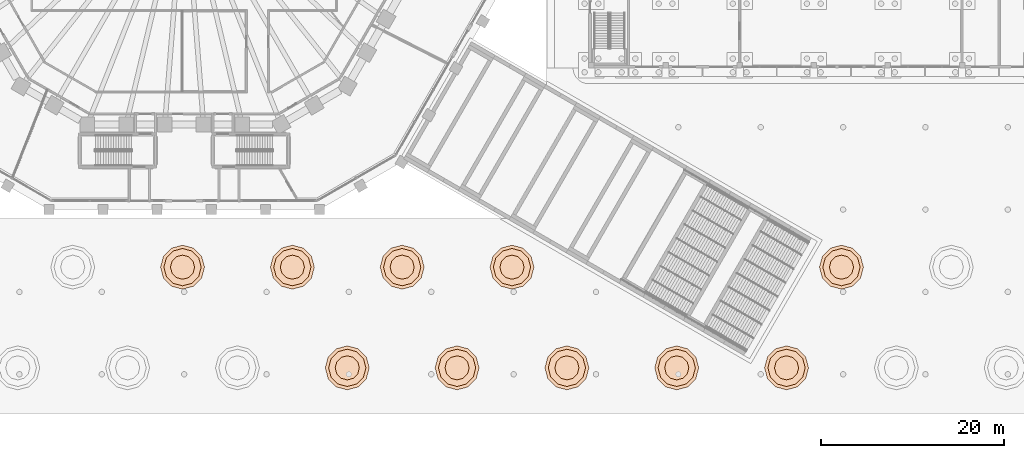
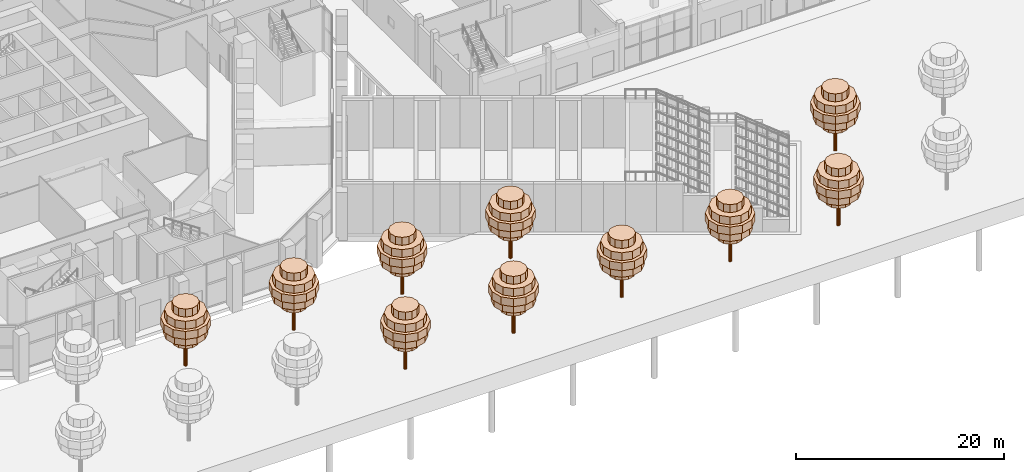
# One storey, part 43 of 44: 10 geographic elements.
"""IFC4 building model written with IfcOpenShell, lengths in metres."""

from ifc_helpers import new_model, si_unit, direction, frame, origin, place, context, subcontext, project, spatial, polyline, outline, extrude, element, save


model = new_model("IFC4")

# Units and contexts
model_context = context("Model", 3, precision=1e-05, world=origin(), true_north=direction((0.0, 1.0)))
body_context = subcontext(model_context, "Body", "Model", "MODEL_VIEW")
ifc_project = project(units=[si_unit("LENGTHUNIT", "METRE"), si_unit("AREAUNIT", "SQUARE_METRE"), si_unit("VOLUMEUNIT", "CUBIC_METRE"), si_unit("PLANEANGLEUNIT", "RADIAN"), si_unit("MASSUNIT", "GRAM", prefix="KILO")], contexts=[model_context])

# Site, building, storey
site_placement = place(None, origin())
site = spatial("IfcSite", under=ifc_project, at=site_placement, CompositionType="ELEMENT")
building_placement = place(site_placement, origin())
building = spatial("IfcBuilding", under=site, at=building_placement, Name="Frailejon Research Tower", CompositionType="ELEMENT")
storey_placement = place(building_placement, origin())
storey = spatial("IfcBuildingStorey", under=building, at=storey_placement, Name="L00", CompositionType="ELEMENT", Elevation=0.0)

# Geographic elements
geographic_element_1_placement = place(storey_placement, frame((17.821044921875, -53.2958984375, 0.0)))
element("IfcGeographicElement", 1, at=geographic_element_1_placement, inside=storey, Name="Plaza tree", ObjectType="TREE", PredefinedType="USERDEFINED", context=body_context, shape_type="SweptSolid", body=[
    extrude(outline(polyline([(0.179931640625, 0.0), (0.156005859375, 0.090087890625), (0.090087890625, 0.156005859375), (0.0, 0.179931640625), (-0.090087890625, 0.156005859375), (-0.156005859375, 0.090087890625), (-0.179931640625, 0.0), (-0.156005859375, -0.090087890625), (-0.090087890625, -0.156005859375), (0.0, -0.179931640625), (0.090087890625, -0.156005859375), (0.156005859375, -0.090087890625), (0.179931640625, 0.0)])), origin(), (0.0, 0.0, 1.0), 5.639892578125),
    extrude(outline(polyline([(1.320068359375, 0.0), (1.14306640625, 0.659912109375), (0.659912109375, 1.14306640625), (0.0, 1.320068359375), (-0.659912109375, 1.14306640625), (-1.14306640625, 0.659912109375), (-1.320068359375, 0.0), (-1.14306640625, -0.659912109375), (-0.659912109375, -1.14306640625), (0.0, -1.320068359375), (0.659912109375, -1.14306640625), (1.14306640625, -0.659912109375), (1.320068359375, 0.0)])), frame((0.0, 0.0, 2.85009765625)), (0.0, 0.0, 1.0), 0.929931640625),
    extrude(outline(polyline([(2.159912109375, 0.0), (1.87060546875, 1.080078125), (1.080078125, 1.87060546875), (0.0, 2.159912109375), (-1.080078125, 1.87060546875), (-1.87060546875, 1.080078125), (-2.159912109375, 0.0), (-1.87060546875, -1.080078125), (-1.080078125, -1.87060546875), (0.0, -2.159912109375), (1.080078125, -1.87060546875), (1.87060546875, -1.080078125), (2.159912109375, 0.0)])), frame((0.0, 0.0, 3.780029296875)), (0.0, 0.0, 1.0), 0.929931640625),
    extrude(outline(polyline([(2.39990234375, 0.0), (2.078369140625, 1.199951171875), (1.199951171875, 2.078369140625), (0.0, 2.39990234375), (-1.199951171875, 2.078369140625), (-2.078369140625, 1.199951171875), (-2.39990234375, 0.0), (-2.078369140625, -1.199951171875), (-1.199951171875, -2.078369140625), (0.0, -2.39990234375), (1.199951171875, -2.078369140625), (2.078369140625, -1.199951171875), (2.39990234375, 0.0)])), frame((0.0, 0.0, 4.7099609375)), (0.0, 0.0, 1.0), 0.929931640625),
    extrude(outline(polyline([(2.0400390625, 0.0), (1.7666015625, 1.02001953125), (1.02001953125, 1.7666015625), (0.0, 2.0400390625), (-1.02001953125, 1.7666015625), (-1.7666015625, 1.02001953125), (-2.0400390625, 0.0), (-1.7666015625, -1.02001953125), (-1.02001953125, -1.7666015625), (0.0, -2.0400390625), (1.02001953125, -1.7666015625), (1.7666015625, -1.02001953125), (2.0400390625, 0.0)])), frame((0.0, 0.0, 5.639892578125)), (0.0, 0.0, 1.0), 0.929931640625),
    extrude(outline(polyline([(1.320068359375, 0.0), (1.14306640625, 0.659912109375), (0.659912109375, 1.14306640625), (0.0, 1.320068359375), (-0.659912109375, 1.14306640625), (-1.14306640625, 0.659912109375), (-1.320068359375, 0.0), (-1.14306640625, -0.659912109375), (-0.659912109375, -1.14306640625), (0.0, -1.320068359375), (0.659912109375, -1.14306640625), (1.14306640625, -0.659912109375), (1.320068359375, 0.0)])), frame((0.0, 0.0, 6.570068359375)), (0.0, 0.0, 1.0), 0.929931640625),
])
geographic_element_2_placement = place(storey_placement, frame((29.821044921875, -53.2958984375, 0.0)))
element("IfcGeographicElement", 2, at=geographic_element_2_placement, inside=storey, Name="Plaza tree", ObjectType="TREE", PredefinedType="USERDEFINED", context=body_context, shape_type="SweptSolid", body=[
    extrude(outline(polyline([(0.179931640625, 0.0), (0.156005859375, 0.090087890625), (0.090087890625, 0.156005859375), (0.0, 0.179931640625), (-0.090087890625, 0.156005859375), (-0.156005859375, 0.090087890625), (-0.179931640625, 0.0), (-0.156005859375, -0.090087890625), (-0.090087890625, -0.156005859375), (0.0, -0.179931640625), (0.090087890625, -0.156005859375), (0.156005859375, -0.090087890625), (0.179931640625, 0.0)])), origin(), (0.0, 0.0, 1.0), 5.639892578125),
    extrude(outline(polyline([(1.320068359375, 0.0), (1.14306640625, 0.659912109375), (0.659912109375, 1.14306640625), (0.0, 1.320068359375), (-0.659912109375, 1.14306640625), (-1.14306640625, 0.659912109375), (-1.320068359375, 0.0), (-1.14306640625, -0.659912109375), (-0.659912109375, -1.14306640625), (0.0, -1.320068359375), (0.659912109375, -1.14306640625), (1.14306640625, -0.659912109375), (1.320068359375, 0.0)])), frame((0.0, 0.0, 2.85009765625)), (0.0, 0.0, 1.0), 0.929931640625),
    extrude(outline(polyline([(2.159912109375, 0.0), (1.87060546875, 1.080078125), (1.080078125, 1.87060546875), (0.0, 2.159912109375), (-1.080078125, 1.87060546875), (-1.87060546875, 1.080078125), (-2.159912109375, 0.0), (-1.87060546875, -1.080078125), (-1.080078125, -1.87060546875), (0.0, -2.159912109375), (1.080078125, -1.87060546875), (1.87060546875, -1.080078125), (2.159912109375, 0.0)])), frame((0.0, 0.0, 3.780029296875)), (0.0, 0.0, 1.0), 0.929931640625),
    extrude(outline(polyline([(2.39990234375, 0.0), (2.078369140625, 1.199951171875), (1.199951171875, 2.078369140625), (0.0, 2.39990234375), (-1.199951171875, 2.078369140625), (-2.078369140625, 1.199951171875), (-2.39990234375, 0.0), (-2.078369140625, -1.199951171875), (-1.199951171875, -2.078369140625), (0.0, -2.39990234375), (1.199951171875, -2.078369140625), (2.078369140625, -1.199951171875), (2.39990234375, 0.0)])), frame((0.0, 0.0, 4.7099609375)), (0.0, 0.0, 1.0), 0.929931640625),
    extrude(outline(polyline([(2.0400390625, 0.0), (1.7666015625, 1.02001953125), (1.02001953125, 1.7666015625), (0.0, 2.0400390625), (-1.02001953125, 1.7666015625), (-1.7666015625, 1.02001953125), (-2.0400390625, 0.0), (-1.7666015625, -1.02001953125), (-1.02001953125, -1.7666015625), (0.0, -2.0400390625), (1.02001953125, -1.7666015625), (1.7666015625, -1.02001953125), (2.0400390625, 0.0)])), frame((0.0, 0.0, 5.639892578125)), (0.0, 0.0, 1.0), 0.929931640625),
    extrude(outline(polyline([(1.320068359375, 0.0), (1.14306640625, 0.659912109375), (0.659912109375, 1.14306640625), (0.0, 1.320068359375), (-0.659912109375, 1.14306640625), (-1.14306640625, 0.659912109375), (-1.320068359375, 0.0), (-1.14306640625, -0.659912109375), (-0.659912109375, -1.14306640625), (0.0, -1.320068359375), (0.659912109375, -1.14306640625), (1.14306640625, -0.659912109375), (1.320068359375, 0.0)])), frame((0.0, 0.0, 6.570068359375)), (0.0, 0.0, 1.0), 0.929931640625),
])
geographic_element_3_placement = place(storey_placement, frame((41.821044921875, -53.2958984375, 0.0)))
element("IfcGeographicElement", 3, at=geographic_element_3_placement, inside=storey, Name="Plaza tree", ObjectType="TREE", PredefinedType="USERDEFINED", context=body_context, shape_type="SweptSolid", body=[
    extrude(outline(polyline([(0.179931640625, 0.0), (0.156005859375, 0.090087890625), (0.090087890625, 0.156005859375), (0.0, 0.179931640625), (-0.090087890625, 0.156005859375), (-0.156005859375, 0.090087890625), (-0.179931640625, 0.0), (-0.156005859375, -0.090087890625), (-0.090087890625, -0.156005859375), (0.0, -0.179931640625), (0.090087890625, -0.156005859375), (0.156005859375, -0.090087890625), (0.179931640625, 0.0)])), origin(), (0.0, 0.0, 1.0), 5.639892578125),
    extrude(outline(polyline([(1.320068359375, 0.0), (1.14306640625, 0.659912109375), (0.659912109375, 1.14306640625), (0.0, 1.320068359375), (-0.659912109375, 1.14306640625), (-1.14306640625, 0.659912109375), (-1.320068359375, 0.0), (-1.14306640625, -0.659912109375), (-0.659912109375, -1.14306640625), (0.0, -1.320068359375), (0.659912109375, -1.14306640625), (1.14306640625, -0.659912109375), (1.320068359375, 0.0)])), frame((0.0, 0.0, 2.85009765625)), (0.0, 0.0, 1.0), 0.929931640625),
    extrude(outline(polyline([(2.159912109375, 0.0), (1.87060546875, 1.080078125), (1.080078125, 1.87060546875), (0.0, 2.159912109375), (-1.080078125, 1.87060546875), (-1.87060546875, 1.080078125), (-2.159912109375, 0.0), (-1.87060546875, -1.080078125), (-1.080078125, -1.87060546875), (0.0, -2.159912109375), (1.080078125, -1.87060546875), (1.87060546875, -1.080078125), (2.159912109375, 0.0)])), frame((0.0, 0.0, 3.780029296875)), (0.0, 0.0, 1.0), 0.929931640625),
    extrude(outline(polyline([(2.39990234375, 0.0), (2.078369140625, 1.199951171875), (1.199951171875, 2.078369140625), (0.0, 2.39990234375), (-1.199951171875, 2.078369140625), (-2.078369140625, 1.199951171875), (-2.39990234375, 0.0), (-2.078369140625, -1.199951171875), (-1.199951171875, -2.078369140625), (0.0, -2.39990234375), (1.199951171875, -2.078369140625), (2.078369140625, -1.199951171875), (2.39990234375, 0.0)])), frame((0.0, 0.0, 4.7099609375)), (0.0, 0.0, 1.0), 0.929931640625),
    extrude(outline(polyline([(2.0400390625, 0.0), (1.7666015625, 1.02001953125), (1.02001953125, 1.7666015625), (0.0, 2.0400390625), (-1.02001953125, 1.7666015625), (-1.7666015625, 1.02001953125), (-2.0400390625, 0.0), (-1.7666015625, -1.02001953125), (-1.02001953125, -1.7666015625), (0.0, -2.0400390625), (1.02001953125, -1.7666015625), (1.7666015625, -1.02001953125), (2.0400390625, 0.0)])), frame((0.0, 0.0, 5.639892578125)), (0.0, 0.0, 1.0), 0.929931640625),
    extrude(outline(polyline([(1.320068359375, 0.0), (1.14306640625, 0.659912109375), (0.659912109375, 1.14306640625), (0.0, 1.320068359375), (-0.659912109375, 1.14306640625), (-1.14306640625, 0.659912109375), (-1.320068359375, 0.0), (-1.14306640625, -0.659912109375), (-0.659912109375, -1.14306640625), (0.0, -1.320068359375), (0.659912109375, -1.14306640625), (1.14306640625, -0.659912109375), (1.320068359375, 0.0)])), frame((0.0, 0.0, 6.570068359375)), (0.0, 0.0, 1.0), 0.929931640625),
])
geographic_element_4_placement = place(storey_placement, frame((53.821044921875, -53.2958984375, 0.0)))
element("IfcGeographicElement", 4, at=geographic_element_4_placement, inside=storey, Name="Plaza tree", ObjectType="TREE", PredefinedType="USERDEFINED", context=body_context, shape_type="SweptSolid", body=[
    extrude(outline(polyline([(0.179931640625, 0.0), (0.156005859375, 0.090087890625), (0.090087890625, 0.156005859375), (0.0, 0.179931640625), (-0.090087890625, 0.156005859375), (-0.156005859375, 0.090087890625), (-0.179931640625, 0.0), (-0.156005859375, -0.090087890625), (-0.090087890625, -0.156005859375), (0.0, -0.179931640625), (0.090087890625, -0.156005859375), (0.156005859375, -0.090087890625), (0.179931640625, 0.0)])), origin(), (0.0, 0.0, 1.0), 5.639892578125),
    extrude(outline(polyline([(1.320068359375, 0.0), (1.14306640625, 0.659912109375), (0.659912109375, 1.14306640625), (0.0, 1.320068359375), (-0.659912109375, 1.14306640625), (-1.14306640625, 0.659912109375), (-1.320068359375, 0.0), (-1.14306640625, -0.659912109375), (-0.659912109375, -1.14306640625), (0.0, -1.320068359375), (0.659912109375, -1.14306640625), (1.14306640625, -0.659912109375), (1.320068359375, 0.0)])), frame((0.0, 0.0, 2.85009765625)), (0.0, 0.0, 1.0), 0.929931640625),
    extrude(outline(polyline([(2.159912109375, 0.0), (1.87060546875, 1.080078125), (1.080078125, 1.87060546875), (0.0, 2.159912109375), (-1.080078125, 1.87060546875), (-1.87060546875, 1.080078125), (-2.159912109375, 0.0), (-1.87060546875, -1.080078125), (-1.080078125, -1.87060546875), (0.0, -2.159912109375), (1.080078125, -1.87060546875), (1.87060546875, -1.080078125), (2.159912109375, 0.0)])), frame((0.0, 0.0, 3.780029296875)), (0.0, 0.0, 1.0), 0.929931640625),
    extrude(outline(polyline([(2.39990234375, 0.0), (2.078369140625, 1.199951171875), (1.199951171875, 2.078369140625), (0.0, 2.39990234375), (-1.199951171875, 2.078369140625), (-2.078369140625, 1.199951171875), (-2.39990234375, 0.0), (-2.078369140625, -1.199951171875), (-1.199951171875, -2.078369140625), (0.0, -2.39990234375), (1.199951171875, -2.078369140625), (2.078369140625, -1.199951171875), (2.39990234375, 0.0)])), frame((0.0, 0.0, 4.7099609375)), (0.0, 0.0, 1.0), 0.929931640625),
    extrude(outline(polyline([(2.0400390625, 0.0), (1.7666015625, 1.02001953125), (1.02001953125, 1.7666015625), (0.0, 2.0400390625), (-1.02001953125, 1.7666015625), (-1.7666015625, 1.02001953125), (-2.0400390625, 0.0), (-1.7666015625, -1.02001953125), (-1.02001953125, -1.7666015625), (0.0, -2.0400390625), (1.02001953125, -1.7666015625), (1.7666015625, -1.02001953125), (2.0400390625, 0.0)])), frame((0.0, 0.0, 5.639892578125)), (0.0, 0.0, 1.0), 0.929931640625),
    extrude(outline(polyline([(1.320068359375, 0.0), (1.14306640625, 0.659912109375), (0.659912109375, 1.14306640625), (0.0, 1.320068359375), (-0.659912109375, 1.14306640625), (-1.14306640625, 0.659912109375), (-1.320068359375, 0.0), (-1.14306640625, -0.659912109375), (-0.659912109375, -1.14306640625), (0.0, -1.320068359375), (0.659912109375, -1.14306640625), (1.14306640625, -0.659912109375), (1.320068359375, 0.0)])), frame((0.0, 0.0, 6.570068359375)), (0.0, 0.0, 1.0), 0.929931640625),
])
geographic_element_5_placement = place(storey_placement, frame((65.821044921875, -53.2958984375, 0.0)))
element("IfcGeographicElement", 5, at=geographic_element_5_placement, inside=storey, Name="Plaza tree", ObjectType="TREE", PredefinedType="USERDEFINED", context=body_context, shape_type="SweptSolid", body=[
    extrude(outline(polyline([(0.179931640625, 0.0), (0.156005859375, 0.090087890625), (0.090087890625, 0.156005859375), (0.0, 0.179931640625), (-0.090087890625, 0.156005859375), (-0.156005859375, 0.090087890625), (-0.179931640625, 0.0), (-0.156005859375, -0.090087890625), (-0.090087890625, -0.156005859375), (0.0, -0.179931640625), (0.090087890625, -0.156005859375), (0.156005859375, -0.090087890625), (0.179931640625, 0.0)])), origin(), (0.0, 0.0, 1.0), 5.639892578125),
    extrude(outline(polyline([(1.320068359375, 0.0), (1.14306640625, 0.659912109375), (0.659912109375, 1.14306640625), (0.0, 1.320068359375), (-0.659912109375, 1.14306640625), (-1.14306640625, 0.659912109375), (-1.320068359375, 0.0), (-1.14306640625, -0.659912109375), (-0.659912109375, -1.14306640625), (0.0, -1.320068359375), (0.659912109375, -1.14306640625), (1.14306640625, -0.659912109375), (1.320068359375, 0.0)])), frame((0.0, 0.0, 2.85009765625)), (0.0, 0.0, 1.0), 0.929931640625),
    extrude(outline(polyline([(2.159912109375, 0.0), (1.87060546875, 1.080078125), (1.080078125, 1.87060546875), (0.0, 2.159912109375), (-1.080078125, 1.87060546875), (-1.87060546875, 1.080078125), (-2.159912109375, 0.0), (-1.87060546875, -1.080078125), (-1.080078125, -1.87060546875), (0.0, -2.159912109375), (1.080078125, -1.87060546875), (1.87060546875, -1.080078125), (2.159912109375, 0.0)])), frame((0.0, 0.0, 3.780029296875)), (0.0, 0.0, 1.0), 0.929931640625),
    extrude(outline(polyline([(2.39990234375, 0.0), (2.078369140625, 1.199951171875), (1.199951171875, 2.078369140625), (0.0, 2.39990234375), (-1.199951171875, 2.078369140625), (-2.078369140625, 1.199951171875), (-2.39990234375, 0.0), (-2.078369140625, -1.199951171875), (-1.199951171875, -2.078369140625), (0.0, -2.39990234375), (1.199951171875, -2.078369140625), (2.078369140625, -1.199951171875), (2.39990234375, 0.0)])), frame((0.0, 0.0, 4.7099609375)), (0.0, 0.0, 1.0), 0.929931640625),
    extrude(outline(polyline([(2.0400390625, 0.0), (1.7666015625, 1.02001953125), (1.02001953125, 1.7666015625), (0.0, 2.0400390625), (-1.02001953125, 1.7666015625), (-1.7666015625, 1.02001953125), (-2.0400390625, 0.0), (-1.7666015625, -1.02001953125), (-1.02001953125, -1.7666015625), (0.0, -2.0400390625), (1.02001953125, -1.7666015625), (1.7666015625, -1.02001953125), (2.0400390625, 0.0)])), frame((0.0, 0.0, 5.639892578125)), (0.0, 0.0, 1.0), 0.929931640625),
    extrude(outline(polyline([(1.320068359375, 0.0), (1.14306640625, 0.659912109375), (0.659912109375, 1.14306640625), (0.0, 1.320068359375), (-0.659912109375, 1.14306640625), (-1.14306640625, 0.659912109375), (-1.320068359375, 0.0), (-1.14306640625, -0.659912109375), (-0.659912109375, -1.14306640625), (0.0, -1.320068359375), (0.659912109375, -1.14306640625), (1.14306640625, -0.659912109375), (1.320068359375, 0.0)])), frame((0.0, 0.0, 6.570068359375)), (0.0, 0.0, 1.0), 0.929931640625),
])
geographic_element_6_placement = place(storey_placement, frame((-0.178955078125, -42.2958984375, 0.0)))
element("IfcGeographicElement", 6, at=geographic_element_6_placement, inside=storey, Name="Plaza tree", ObjectType="TREE", PredefinedType="USERDEFINED", context=body_context, shape_type="SweptSolid", body=[
    extrude(outline(polyline([(0.179931640625, 0.0), (0.156005859375, 0.090087890625), (0.090087890625, 0.156005859375), (0.0, 0.179931640625), (-0.090087890625, 0.156005859375), (-0.156005859375, 0.090087890625), (-0.179931640625, 0.0), (-0.156005859375, -0.090087890625), (-0.090087890625, -0.156005859375), (0.0, -0.179931640625), (0.090087890625, -0.156005859375), (0.156005859375, -0.090087890625), (0.179931640625, 0.0)])), origin(), (0.0, 0.0, 1.0), 5.639892578125),
    extrude(outline(polyline([(1.320068359375, 0.0), (1.14306640625, 0.659912109375), (0.659912109375, 1.14306640625), (0.0, 1.320068359375), (-0.659912109375, 1.14306640625), (-1.14306640625, 0.659912109375), (-1.320068359375, 0.0), (-1.14306640625, -0.659912109375), (-0.659912109375, -1.14306640625), (0.0, -1.320068359375), (0.659912109375, -1.14306640625), (1.14306640625, -0.659912109375), (1.320068359375, 0.0)])), frame((0.0, 0.0, 2.85009765625)), (0.0, 0.0, 1.0), 0.929931640625),
    extrude(outline(polyline([(2.159912109375, 0.0), (1.87060546875, 1.080078125), (1.080078125, 1.87060546875), (0.0, 2.159912109375), (-1.080078125, 1.87060546875), (-1.87060546875, 1.080078125), (-2.159912109375, 0.0), (-1.87060546875, -1.080078125), (-1.080078125, -1.87060546875), (0.0, -2.159912109375), (1.080078125, -1.87060546875), (1.87060546875, -1.080078125), (2.159912109375, 0.0)])), frame((0.0, 0.0, 3.780029296875)), (0.0, 0.0, 1.0), 0.929931640625),
    extrude(outline(polyline([(2.39990234375, 0.0), (2.078369140625, 1.199951171875), (1.199951171875, 2.078369140625), (0.0, 2.39990234375), (-1.199951171875, 2.078369140625), (-2.078369140625, 1.199951171875), (-2.39990234375, 0.0), (-2.078369140625, -1.199951171875), (-1.199951171875, -2.078369140625), (0.0, -2.39990234375), (1.199951171875, -2.078369140625), (2.078369140625, -1.199951171875), (2.39990234375, 0.0)])), frame((0.0, 0.0, 4.7099609375)), (0.0, 0.0, 1.0), 0.929931640625),
    extrude(outline(polyline([(2.0400390625, 0.0), (1.7666015625, 1.02001953125), (1.02001953125, 1.7666015625), (0.0, 2.0400390625), (-1.02001953125, 1.7666015625), (-1.7666015625, 1.02001953125), (-2.0400390625, 0.0), (-1.7666015625, -1.02001953125), (-1.02001953125, -1.7666015625), (0.0, -2.0400390625), (1.02001953125, -1.7666015625), (1.7666015625, -1.02001953125), (2.0400390625, 0.0)])), frame((0.0, 0.0, 5.639892578125)), (0.0, 0.0, 1.0), 0.929931640625),
    extrude(outline(polyline([(1.320068359375, 0.0), (1.14306640625, 0.659912109375), (0.659912109375, 1.14306640625), (0.0, 1.320068359375), (-0.659912109375, 1.14306640625), (-1.14306640625, 0.659912109375), (-1.320068359375, 0.0), (-1.14306640625, -0.659912109375), (-0.659912109375, -1.14306640625), (0.0, -1.320068359375), (0.659912109375, -1.14306640625), (1.14306640625, -0.659912109375), (1.320068359375, 0.0)])), frame((0.0, 0.0, 6.570068359375)), (0.0, 0.0, 1.0), 0.929931640625),
])
geographic_element_7_placement = place(storey_placement, frame((11.821044921875, -42.2958984375, 0.0)))
element("IfcGeographicElement", 7, at=geographic_element_7_placement, inside=storey, Name="Plaza tree", ObjectType="TREE", PredefinedType="USERDEFINED", context=body_context, shape_type="SweptSolid", body=[
    extrude(outline(polyline([(0.179931640625, 0.0), (0.156005859375, 0.090087890625), (0.090087890625, 0.156005859375), (0.0, 0.179931640625), (-0.090087890625, 0.156005859375), (-0.156005859375, 0.090087890625), (-0.179931640625, 0.0), (-0.156005859375, -0.090087890625), (-0.090087890625, -0.156005859375), (0.0, -0.179931640625), (0.090087890625, -0.156005859375), (0.156005859375, -0.090087890625), (0.179931640625, 0.0)])), origin(), (0.0, 0.0, 1.0), 5.639892578125),
    extrude(outline(polyline([(1.320068359375, 0.0), (1.14306640625, 0.659912109375), (0.659912109375, 1.14306640625), (0.0, 1.320068359375), (-0.659912109375, 1.14306640625), (-1.14306640625, 0.659912109375), (-1.320068359375, 0.0), (-1.14306640625, -0.659912109375), (-0.659912109375, -1.14306640625), (0.0, -1.320068359375), (0.659912109375, -1.14306640625), (1.14306640625, -0.659912109375), (1.320068359375, 0.0)])), frame((0.0, 0.0, 2.85009765625)), (0.0, 0.0, 1.0), 0.929931640625),
    extrude(outline(polyline([(2.159912109375, 0.0), (1.87060546875, 1.080078125), (1.080078125, 1.87060546875), (0.0, 2.159912109375), (-1.080078125, 1.87060546875), (-1.87060546875, 1.080078125), (-2.159912109375, 0.0), (-1.87060546875, -1.080078125), (-1.080078125, -1.87060546875), (0.0, -2.159912109375), (1.080078125, -1.87060546875), (1.87060546875, -1.080078125), (2.159912109375, 0.0)])), frame((0.0, 0.0, 3.780029296875)), (0.0, 0.0, 1.0), 0.929931640625),
    extrude(outline(polyline([(2.39990234375, 0.0), (2.078369140625, 1.199951171875), (1.199951171875, 2.078369140625), (0.0, 2.39990234375), (-1.199951171875, 2.078369140625), (-2.078369140625, 1.199951171875), (-2.39990234375, 0.0), (-2.078369140625, -1.199951171875), (-1.199951171875, -2.078369140625), (0.0, -2.39990234375), (1.199951171875, -2.078369140625), (2.078369140625, -1.199951171875), (2.39990234375, 0.0)])), frame((0.0, 0.0, 4.7099609375)), (0.0, 0.0, 1.0), 0.929931640625),
    extrude(outline(polyline([(2.0400390625, 0.0), (1.7666015625, 1.02001953125), (1.02001953125, 1.7666015625), (0.0, 2.0400390625), (-1.02001953125, 1.7666015625), (-1.7666015625, 1.02001953125), (-2.0400390625, 0.0), (-1.7666015625, -1.02001953125), (-1.02001953125, -1.7666015625), (0.0, -2.0400390625), (1.02001953125, -1.7666015625), (1.7666015625, -1.02001953125), (2.0400390625, 0.0)])), frame((0.0, 0.0, 5.639892578125)), (0.0, 0.0, 1.0), 0.929931640625),
    extrude(outline(polyline([(1.320068359375, 0.0), (1.14306640625, 0.659912109375), (0.659912109375, 1.14306640625), (0.0, 1.320068359375), (-0.659912109375, 1.14306640625), (-1.14306640625, 0.659912109375), (-1.320068359375, 0.0), (-1.14306640625, -0.659912109375), (-0.659912109375, -1.14306640625), (0.0, -1.320068359375), (0.659912109375, -1.14306640625), (1.14306640625, -0.659912109375), (1.320068359375, 0.0)])), frame((0.0, 0.0, 6.570068359375)), (0.0, 0.0, 1.0), 0.929931640625),
])
geographic_element_8_placement = place(storey_placement, frame((23.821044921875, -42.2958984375, 0.0)))
element("IfcGeographicElement", 8, at=geographic_element_8_placement, inside=storey, Name="Plaza tree", ObjectType="TREE", PredefinedType="USERDEFINED", context=body_context, shape_type="SweptSolid", body=[
    extrude(outline(polyline([(0.179931640625, 0.0), (0.156005859375, 0.090087890625), (0.090087890625, 0.156005859375), (0.0, 0.179931640625), (-0.090087890625, 0.156005859375), (-0.156005859375, 0.090087890625), (-0.179931640625, 0.0), (-0.156005859375, -0.090087890625), (-0.090087890625, -0.156005859375), (0.0, -0.179931640625), (0.090087890625, -0.156005859375), (0.156005859375, -0.090087890625), (0.179931640625, 0.0)])), origin(), (0.0, 0.0, 1.0), 5.639892578125),
    extrude(outline(polyline([(1.320068359375, 0.0), (1.14306640625, 0.659912109375), (0.659912109375, 1.14306640625), (0.0, 1.320068359375), (-0.659912109375, 1.14306640625), (-1.14306640625, 0.659912109375), (-1.320068359375, 0.0), (-1.14306640625, -0.659912109375), (-0.659912109375, -1.14306640625), (0.0, -1.320068359375), (0.659912109375, -1.14306640625), (1.14306640625, -0.659912109375), (1.320068359375, 0.0)])), frame((0.0, 0.0, 2.85009765625)), (0.0, 0.0, 1.0), 0.929931640625),
    extrude(outline(polyline([(2.159912109375, 0.0), (1.87060546875, 1.080078125), (1.080078125, 1.87060546875), (0.0, 2.159912109375), (-1.080078125, 1.87060546875), (-1.87060546875, 1.080078125), (-2.159912109375, 0.0), (-1.87060546875, -1.080078125), (-1.080078125, -1.87060546875), (0.0, -2.159912109375), (1.080078125, -1.87060546875), (1.87060546875, -1.080078125), (2.159912109375, 0.0)])), frame((0.0, 0.0, 3.780029296875)), (0.0, 0.0, 1.0), 0.929931640625),
    extrude(outline(polyline([(2.39990234375, 0.0), (2.078369140625, 1.199951171875), (1.199951171875, 2.078369140625), (0.0, 2.39990234375), (-1.199951171875, 2.078369140625), (-2.078369140625, 1.199951171875), (-2.39990234375, 0.0), (-2.078369140625, -1.199951171875), (-1.199951171875, -2.078369140625), (0.0, -2.39990234375), (1.199951171875, -2.078369140625), (2.078369140625, -1.199951171875), (2.39990234375, 0.0)])), frame((0.0, 0.0, 4.7099609375)), (0.0, 0.0, 1.0), 0.929931640625),
    extrude(outline(polyline([(2.0400390625, 0.0), (1.7666015625, 1.02001953125), (1.02001953125, 1.7666015625), (0.0, 2.0400390625), (-1.02001953125, 1.7666015625), (-1.7666015625, 1.02001953125), (-2.0400390625, 0.0), (-1.7666015625, -1.02001953125), (-1.02001953125, -1.7666015625), (0.0, -2.0400390625), (1.02001953125, -1.7666015625), (1.7666015625, -1.02001953125), (2.0400390625, 0.0)])), frame((0.0, 0.0, 5.639892578125)), (0.0, 0.0, 1.0), 0.929931640625),
    extrude(outline(polyline([(1.320068359375, 0.0), (1.14306640625, 0.659912109375), (0.659912109375, 1.14306640625), (0.0, 1.320068359375), (-0.659912109375, 1.14306640625), (-1.14306640625, 0.659912109375), (-1.320068359375, 0.0), (-1.14306640625, -0.659912109375), (-0.659912109375, -1.14306640625), (0.0, -1.320068359375), (0.659912109375, -1.14306640625), (1.14306640625, -0.659912109375), (1.320068359375, 0.0)])), frame((0.0, 0.0, 6.570068359375)), (0.0, 0.0, 1.0), 0.929931640625),
])
geographic_element_9_placement = place(storey_placement, frame((35.821044921875, -42.2958984375, 0.0)))
element("IfcGeographicElement", 9, at=geographic_element_9_placement, inside=storey, Name="Plaza tree", ObjectType="TREE", PredefinedType="USERDEFINED", context=body_context, shape_type="SweptSolid", body=[
    extrude(outline(polyline([(0.179931640625, 0.0), (0.156005859375, 0.090087890625), (0.090087890625, 0.156005859375), (0.0, 0.179931640625), (-0.090087890625, 0.156005859375), (-0.156005859375, 0.090087890625), (-0.179931640625, 0.0), (-0.156005859375, -0.090087890625), (-0.090087890625, -0.156005859375), (0.0, -0.179931640625), (0.090087890625, -0.156005859375), (0.156005859375, -0.090087890625), (0.179931640625, 0.0)])), origin(), (0.0, 0.0, 1.0), 5.639892578125),
    extrude(outline(polyline([(1.320068359375, 0.0), (1.14306640625, 0.659912109375), (0.659912109375, 1.14306640625), (0.0, 1.320068359375), (-0.659912109375, 1.14306640625), (-1.14306640625, 0.659912109375), (-1.320068359375, 0.0), (-1.14306640625, -0.659912109375), (-0.659912109375, -1.14306640625), (0.0, -1.320068359375), (0.659912109375, -1.14306640625), (1.14306640625, -0.659912109375), (1.320068359375, 0.0)])), frame((0.0, 0.0, 2.85009765625)), (0.0, 0.0, 1.0), 0.929931640625),
    extrude(outline(polyline([(2.159912109375, 0.0), (1.87060546875, 1.080078125), (1.080078125, 1.87060546875), (0.0, 2.159912109375), (-1.080078125, 1.87060546875), (-1.87060546875, 1.080078125), (-2.159912109375, 0.0), (-1.87060546875, -1.080078125), (-1.080078125, -1.87060546875), (0.0, -2.159912109375), (1.080078125, -1.87060546875), (1.87060546875, -1.080078125), (2.159912109375, 0.0)])), frame((0.0, 0.0, 3.780029296875)), (0.0, 0.0, 1.0), 0.929931640625),
    extrude(outline(polyline([(2.39990234375, 0.0), (2.078369140625, 1.199951171875), (1.199951171875, 2.078369140625), (0.0, 2.39990234375), (-1.199951171875, 2.078369140625), (-2.078369140625, 1.199951171875), (-2.39990234375, 0.0), (-2.078369140625, -1.199951171875), (-1.199951171875, -2.078369140625), (0.0, -2.39990234375), (1.199951171875, -2.078369140625), (2.078369140625, -1.199951171875), (2.39990234375, 0.0)])), frame((0.0, 0.0, 4.7099609375)), (0.0, 0.0, 1.0), 0.929931640625),
    extrude(outline(polyline([(2.0400390625, 0.0), (1.7666015625, 1.02001953125), (1.02001953125, 1.7666015625), (0.0, 2.0400390625), (-1.02001953125, 1.7666015625), (-1.7666015625, 1.02001953125), (-2.0400390625, 0.0), (-1.7666015625, -1.02001953125), (-1.02001953125, -1.7666015625), (0.0, -2.0400390625), (1.02001953125, -1.7666015625), (1.7666015625, -1.02001953125), (2.0400390625, 0.0)])), frame((0.0, 0.0, 5.639892578125)), (0.0, 0.0, 1.0), 0.929931640625),
    extrude(outline(polyline([(1.320068359375, 0.0), (1.14306640625, 0.659912109375), (0.659912109375, 1.14306640625), (0.0, 1.320068359375), (-0.659912109375, 1.14306640625), (-1.14306640625, 0.659912109375), (-1.320068359375, 0.0), (-1.14306640625, -0.659912109375), (-0.659912109375, -1.14306640625), (0.0, -1.320068359375), (0.659912109375, -1.14306640625), (1.14306640625, -0.659912109375), (1.320068359375, 0.0)])), frame((0.0, 0.0, 6.570068359375)), (0.0, 0.0, 1.0), 0.929931640625),
])
geographic_element_10_placement = place(storey_placement, frame((71.821044921875, -42.2958984375, 0.0)))
element("IfcGeographicElement", 10, at=geographic_element_10_placement, inside=storey, Name="Plaza tree", ObjectType="TREE", PredefinedType="USERDEFINED", context=body_context, shape_type="SweptSolid", body=[
    extrude(outline(polyline([(0.179931640625, 0.0), (0.156005859375, 0.090087890625), (0.090087890625, 0.156005859375), (0.0, 0.179931640625), (-0.090087890625, 0.156005859375), (-0.156005859375, 0.090087890625), (-0.179931640625, 0.0), (-0.156005859375, -0.090087890625), (-0.090087890625, -0.156005859375), (0.0, -0.179931640625), (0.090087890625, -0.156005859375), (0.156005859375, -0.090087890625), (0.179931640625, 0.0)])), origin(), (0.0, 0.0, 1.0), 5.639892578125),
    extrude(outline(polyline([(1.320068359375, 0.0), (1.14306640625, 0.659912109375), (0.659912109375, 1.14306640625), (0.0, 1.320068359375), (-0.659912109375, 1.14306640625), (-1.14306640625, 0.659912109375), (-1.320068359375, 0.0), (-1.14306640625, -0.659912109375), (-0.659912109375, -1.14306640625), (0.0, -1.320068359375), (0.659912109375, -1.14306640625), (1.14306640625, -0.659912109375), (1.320068359375, 0.0)])), frame((0.0, 0.0, 2.85009765625)), (0.0, 0.0, 1.0), 0.929931640625),
    extrude(outline(polyline([(2.159912109375, 0.0), (1.87060546875, 1.080078125), (1.080078125, 1.87060546875), (0.0, 2.159912109375), (-1.080078125, 1.87060546875), (-1.87060546875, 1.080078125), (-2.159912109375, 0.0), (-1.87060546875, -1.080078125), (-1.080078125, -1.87060546875), (0.0, -2.159912109375), (1.080078125, -1.87060546875), (1.87060546875, -1.080078125), (2.159912109375, 0.0)])), frame((0.0, 0.0, 3.780029296875)), (0.0, 0.0, 1.0), 0.929931640625),
    extrude(outline(polyline([(2.39990234375, 0.0), (2.078369140625, 1.199951171875), (1.199951171875, 2.078369140625), (0.0, 2.39990234375), (-1.199951171875, 2.078369140625), (-2.078369140625, 1.199951171875), (-2.39990234375, 0.0), (-2.078369140625, -1.199951171875), (-1.199951171875, -2.078369140625), (0.0, -2.39990234375), (1.199951171875, -2.078369140625), (2.078369140625, -1.199951171875), (2.39990234375, 0.0)])), frame((0.0, 0.0, 4.7099609375)), (0.0, 0.0, 1.0), 0.929931640625),
    extrude(outline(polyline([(2.0400390625, 0.0), (1.7666015625, 1.02001953125), (1.02001953125, 1.7666015625), (0.0, 2.0400390625), (-1.02001953125, 1.7666015625), (-1.7666015625, 1.02001953125), (-2.0400390625, 0.0), (-1.7666015625, -1.02001953125), (-1.02001953125, -1.7666015625), (0.0, -2.0400390625), (1.02001953125, -1.7666015625), (1.7666015625, -1.02001953125), (2.0400390625, 0.0)])), frame((0.0, 0.0, 5.639892578125)), (0.0, 0.0, 1.0), 0.929931640625),
    extrude(outline(polyline([(1.320068359375, 0.0), (1.14306640625, 0.659912109375), (0.659912109375, 1.14306640625), (0.0, 1.320068359375), (-0.659912109375, 1.14306640625), (-1.14306640625, 0.659912109375), (-1.320068359375, 0.0), (-1.14306640625, -0.659912109375), (-0.659912109375, -1.14306640625), (0.0, -1.320068359375), (0.659912109375, -1.14306640625), (1.14306640625, -0.659912109375), (1.320068359375, 0.0)])), frame((0.0, 0.0, 6.570068359375)), (0.0, 0.0, 1.0), 0.929931640625),
])

save(model, "model.ifc")
